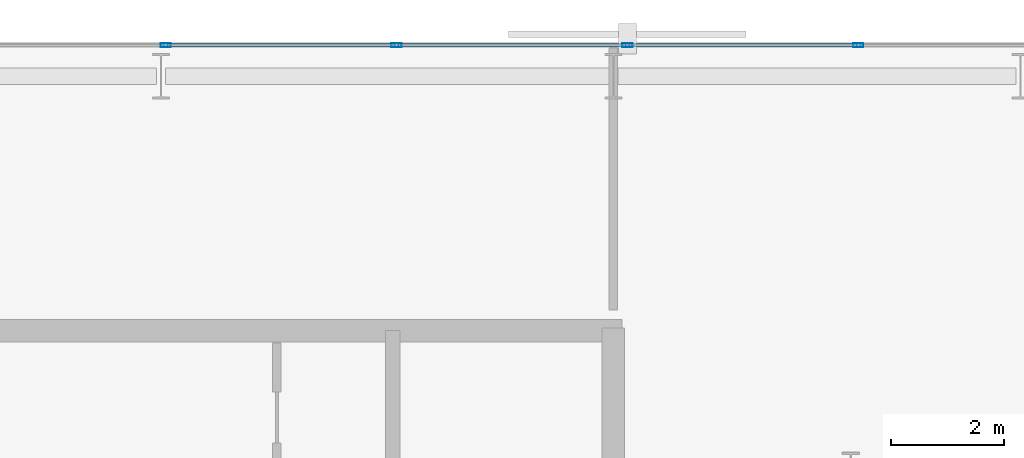
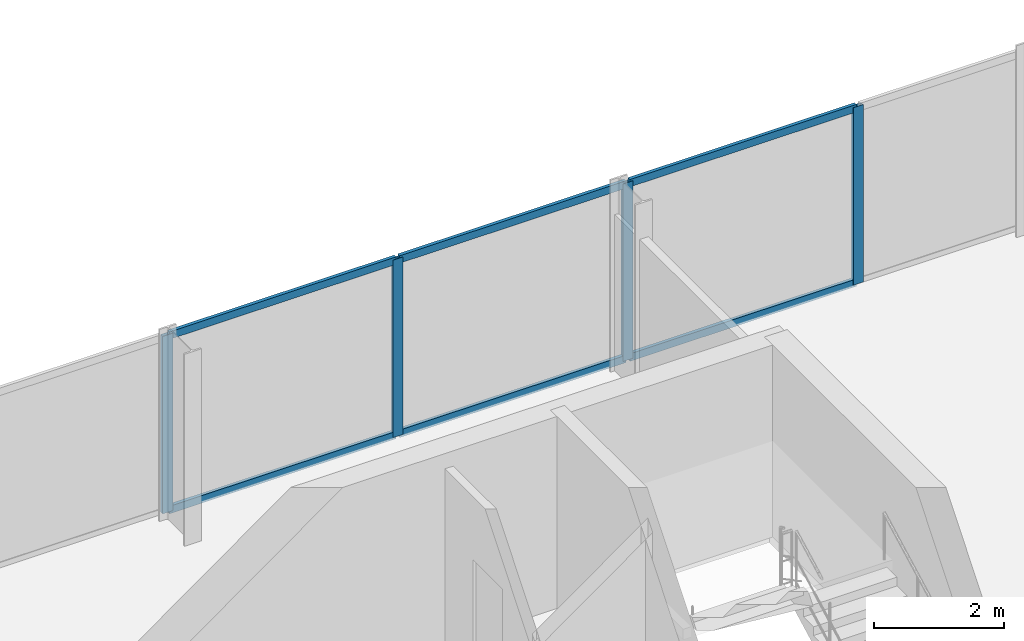
# One storey, part 26 of 33: 10 members, 1 element without a shape of its own.
"""IFC4 building model written with IfcOpenShell, lengths in metres."""

from ifc_helpers import new_model, si_unit, direction, frame, origin, origin_2d, place, context, subcontext, project, spatial, hollow_rectangle, extrude, material, layer, layer_set, material_profile, profile_set, type_object, element, aggregate, save


model = new_model("IFC4")

# Units and contexts
model_context = context("Model", 3, precision=1e-05, world=origin(), true_north=direction((0.0, 1.0)))
body_context = subcontext(model_context, "Body", "Model", "MODEL_VIEW")
ifc_project = project(units=[si_unit("LENGTHUNIT", "METRE"), si_unit("AREAUNIT", "SQUARE_METRE"), si_unit("VOLUMEUNIT", "CUBIC_METRE"), si_unit("PLANEANGLEUNIT", "RADIAN"), si_unit("MASSUNIT", "GRAM", prefix="KILO")], contexts=[model_context])

# Site, building, storey
site_placement = place(None, origin())
site = spatial("IfcSite", under=ifc_project, at=site_placement, CompositionType="ELEMENT")
building_placement = place(site_placement, origin())
building = spatial("IfcBuilding", under=site, at=building_placement, Name="Catumbela Crestline Tower", CompositionType="ELEMENT")
storey_placement = place(building_placement, frame((0.0, 0.0, 54.6)))
storey = spatial("IfcBuildingStorey", under=building, at=storey_placement, Name="L13", CompositionType="ELEMENT", Elevation=54.6)

# Curtain wall, members
ifc_material = material(Name="Aluminium alloy AW-6060-T66", Category="aluminium")
ifc_layer = layer(ifc_material, 0.18, Name="Aluminium alloy AW-6060-T66")
ifc_layer_set = layer_set([ifc_layer], Name="Aluminium alloy AW-6060-T66")
curtain_wall_type = type_object("IfcCurtainWallType", Name="CWU-Z1", PredefinedType="USERDEFINED", material=ifc_layer_set)
curtain_wall_placement = place(storey_placement, origin())
curtain_wall = element("IfcCurtainWall", 1, at=curtain_wall_placement, inside=storey, type_object=curtain_wall_type, Name="L13 Unitised Curtain Wall CW-L13-E7S1", ObjectType="UNITISED", PredefinedType="USERDEFINED")
ifc_material_profile_1 = material_profile(ifc_material, hollow_rectangle(XDim=0.065, YDim=0.18, WallThickness=0.004, at=origin_2d()), Name="ALU 180x65x4")
ifc_profile_set_1 = profile_set([ifc_material_profile_1], Name="Aluminium alloy AW-6060-T66")
member_type_1 = type_object("IfcMemberType", Name="MUL-180X65", PredefinedType="MULLION", material=ifc_profile_set_1)
member_1_placement = place(storey_placement, frame((44.3333, 47.95, 0.0), z_axis=(0.0, 0.0, 1.0), x_axis=(0.0, -1.0, 0.0)))
member_1 = element("IfcMember", 2, at=member_1_placement, type_object=member_type_1, Name="CWU-Z1 mullion 3", PredefinedType="MULLION", context=body_context, shape_type="SweptSolid", body=[
    extrude(hollow_rectangle(XDim=0.065, YDim=0.18, WallThickness=0.004, at=origin_2d()), origin(), (0.0, 0.0, 1.0), 3.33),
])
member_2_placement = place(storey_placement, frame((40.25, 47.95, 0.0), z_axis=(0.0, 0.0, 1.0), x_axis=(0.0, -1.0, 0.0)))
member_2 = element("IfcMember", 3, at=member_2_placement, type_object=member_type_1, Name="CWU-Z1 mullion 4", PredefinedType="MULLION", context=body_context, shape_type="SweptSolid", body=[
    extrude(hollow_rectangle(XDim=0.065, YDim=0.18, WallThickness=0.004, at=origin_2d()), origin(), (0.0, 0.0, 1.0), 3.33),
])
member_3_placement = place(storey_placement, frame((36.1667, 47.95, 0.0), z_axis=(0.0, 0.0, 1.0), x_axis=(0.0, -1.0, 0.0)))
member_3 = element("IfcMember", 4, at=member_3_placement, type_object=member_type_1, Name="CWU-Z1 mullion 5", PredefinedType="MULLION", context=body_context, shape_type="SweptSolid", body=[
    extrude(hollow_rectangle(XDim=0.065, YDim=0.18, WallThickness=0.004, at=origin_2d()), origin(), (0.0, 0.0, 1.0), 3.33),
])
member_4_placement = place(storey_placement, frame((32.0833, 47.95, 0.0), z_axis=(0.0, 0.0, 1.0), x_axis=(0.0, -1.0, 0.0)))
member_4 = element("IfcMember", 5, at=member_4_placement, type_object=member_type_1, Name="CWU-Z1 mullion 6", PredefinedType="MULLION", context=body_context, shape_type="SweptSolid", body=[
    extrude(hollow_rectangle(XDim=0.065, YDim=0.18, WallThickness=0.004, at=origin_2d()), origin(), (0.0, 0.0, 1.0), 3.33),
])
ifc_material_profile_2 = material_profile(ifc_material, hollow_rectangle(XDim=0.06, YDim=0.14, WallThickness=0.004, at=origin_2d()), Name="ALU 140x60x4")
ifc_profile_set_2 = profile_set([ifc_material_profile_2], Name="Aluminium alloy AW-6060-T66")
member_type_2 = type_object("IfcMemberType", Name="TRN-140X60", PredefinedType="USERDEFINED", material=ifc_profile_set_2)
member_5_placement = place(storey_placement, frame((44.3008, 47.95, 0.03), z_axis=(-1.0, 0.0, 0.0), x_axis=(0.0, -1.0, 0.0)))
member_5 = element("IfcMember", 6, at=member_5_placement, type_object=member_type_2, Name="CWU-Z1 transom 3.1", ObjectType="TRANSOM", PredefinedType="USERDEFINED", context=body_context, shape_type="SweptSolid", body=[
    extrude(hollow_rectangle(XDim=0.06, YDim=0.14, WallThickness=0.004, at=origin_2d()), origin(), (0.0, 0.0, 1.0), 4.0183),
])
member_6_placement = place(storey_placement, frame((44.3008, 47.95, 3.3), z_axis=(-1.0, 0.0, 0.0), x_axis=(0.0, -1.0, 0.0)))
member_6 = element("IfcMember", 7, at=member_6_placement, type_object=member_type_2, Name="CWU-Z1 transom 3.2", ObjectType="TRANSOM", PredefinedType="USERDEFINED", context=body_context, shape_type="SweptSolid", body=[
    extrude(hollow_rectangle(XDim=0.06, YDim=0.14, WallThickness=0.004, at=origin_2d()), origin(), (0.0, 0.0, 1.0), 4.0183),
])
member_7_placement = place(storey_placement, frame((40.2175, 47.95, 0.03), z_axis=(-1.0, 0.0, 0.0), x_axis=(0.0, -1.0, 0.0)))
member_7 = element("IfcMember", 8, at=member_7_placement, type_object=member_type_2, Name="CWU-Z1 transom 4.1", ObjectType="TRANSOM", PredefinedType="USERDEFINED", context=body_context, shape_type="SweptSolid", body=[
    extrude(hollow_rectangle(XDim=0.06, YDim=0.14, WallThickness=0.004, at=origin_2d()), origin(), (0.0, 0.0, 1.0), 4.0183),
])
member_8_placement = place(storey_placement, frame((40.2175, 47.95, 3.3), z_axis=(-1.0, 0.0, 0.0), x_axis=(0.0, -1.0, 0.0)))
member_8 = element("IfcMember", 9, at=member_8_placement, type_object=member_type_2, Name="CWU-Z1 transom 4.2", ObjectType="TRANSOM", PredefinedType="USERDEFINED", context=body_context, shape_type="SweptSolid", body=[
    extrude(hollow_rectangle(XDim=0.06, YDim=0.14, WallThickness=0.004, at=origin_2d()), origin(), (0.0, 0.0, 1.0), 4.0183),
])
member_9_placement = place(storey_placement, frame((36.1342, 47.95, 0.03), z_axis=(-1.0, 0.0, 0.0), x_axis=(0.0, -1.0, 0.0)))
member_9 = element("IfcMember", 10, at=member_9_placement, type_object=member_type_2, Name="CWU-Z1 transom 5.1", ObjectType="TRANSOM", PredefinedType="USERDEFINED", context=body_context, shape_type="SweptSolid", body=[
    extrude(hollow_rectangle(XDim=0.06, YDim=0.14, WallThickness=0.004, at=origin_2d()), origin(), (0.0, 0.0, 1.0), 4.0184),
])
member_10_placement = place(storey_placement, frame((36.1342, 47.95, 3.3), z_axis=(-1.0, 0.0, 0.0), x_axis=(0.0, -1.0, 0.0)))
member_10 = element("IfcMember", 11, at=member_10_placement, type_object=member_type_2, Name="CWU-Z1 transom 5.2", ObjectType="TRANSOM", PredefinedType="USERDEFINED", context=body_context, shape_type="SweptSolid", body=[
    extrude(hollow_rectangle(XDim=0.06, YDim=0.14, WallThickness=0.004, at=origin_2d()), origin(), (0.0, 0.0, 1.0), 4.0184),
])
aggregate(curtain_wall, [member_1, member_2, member_3, member_4, member_5, member_6, member_7, member_8, member_9, member_10])

save(model, "model.ifc")
